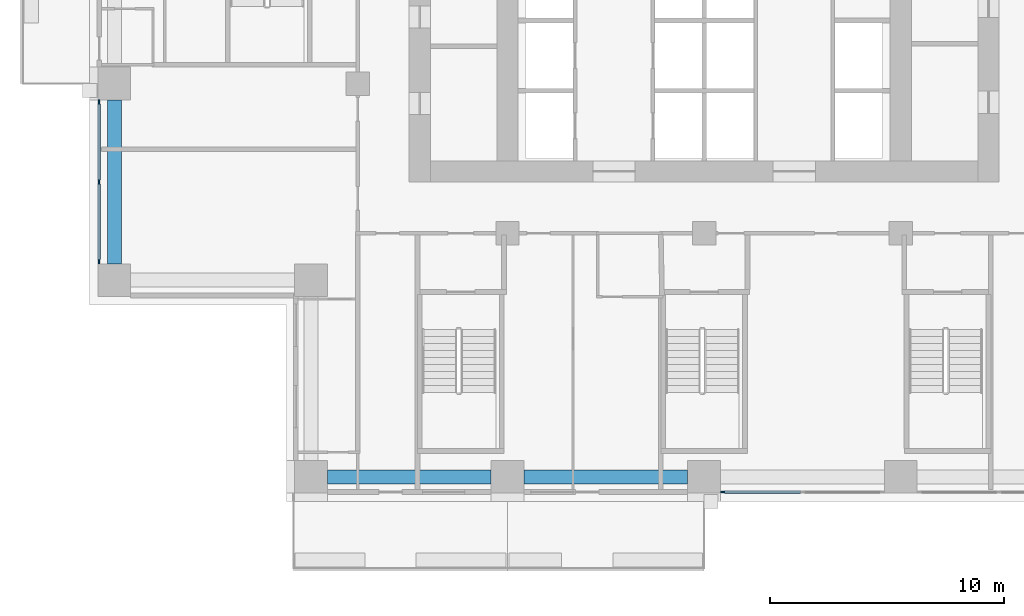
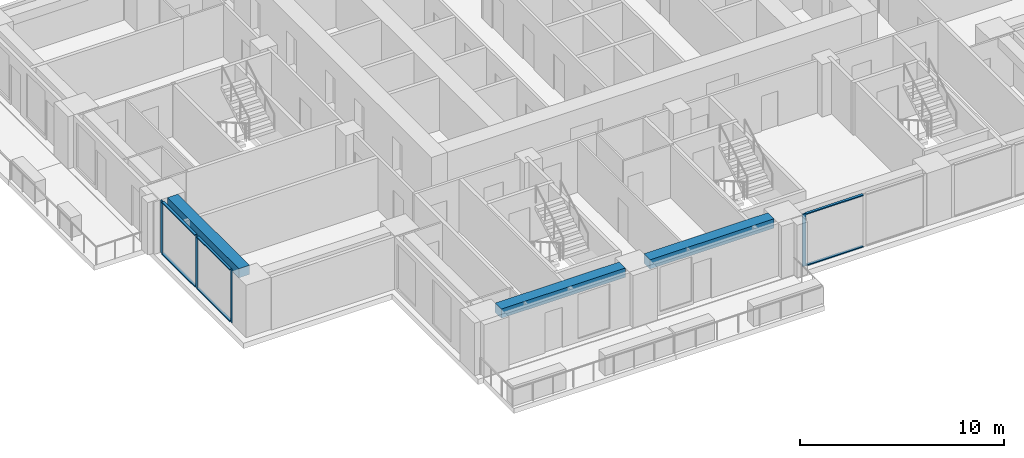
# One storey, part 2 of 17: 10 members, 3 beams, 2 elements without a shape of their own.
"""IFC4 building model written with IfcOpenShell, lengths in metres."""

from ifc_helpers import new_model, si_unit, direction, frame, origin, origin_2d, place, context, subcontext, project, spatial, rectangle, extrude, material, material_profile, profile_set, type_object, element, aggregate, save


model = new_model("IFC4")

# Units and contexts
model_context = context("Model", 3, precision=1e-05, world=origin(), true_north=direction((0.0, 1.0)))
body_context = subcontext(model_context, "Body", "Model", "MODEL_VIEW")
ifc_project = project(units=[si_unit("LENGTHUNIT", "METRE"), si_unit("AREAUNIT", "SQUARE_METRE"), si_unit("VOLUMEUNIT", "CUBIC_METRE"), si_unit("PLANEANGLEUNIT", "RADIAN"), si_unit("MASSUNIT", "GRAM", prefix="KILO")], contexts=[model_context])

# Site, building, storey
site_placement = place(None, origin())
site = spatial("IfcSite", under=ifc_project, at=site_placement, CompositionType="ELEMENT")
building_placement = place(site_placement, origin())
building = spatial("IfcBuilding", under=site, at=building_placement, Name="Vermilion Ogive Tower", CompositionType="ELEMENT")
storey_placement = place(building_placement, frame((0.0, 0.0, 58.64990234375)))
storey = spatial("IfcBuildingStorey", under=building, at=storey_placement, Name="L13", CompositionType="ELEMENT", Elevation=58.64990234375)

# Curtain wall, member
ifc_material_1 = material(Name="Low-iron laminated glazing in aluminium frame", Category="aluminium")
curtain_wall_type = type_object("IfcCurtainWallType", Name="Curtain wall CW7", PredefinedType="NOTDEFINED", material=ifc_material_1)
curtain_wall_1_placement = place(storey_placement, origin())
curtain_wall_1 = element("IfcCurtainWall", 1, at=curtain_wall_1_placement, inside=storey, type_object=curtain_wall_type, Name="Glazed skin S3", PredefinedType="NOTDEFINED")
ifc_material_2 = material(Name="Aluminium mullion", Category="aluminium")
ifc_material_profile_1 = material_profile(ifc_material_2, rectangle(XDim=0.06005859375, YDim=0.179931640625, at=origin_2d()), Name="AL 60x180")
ifc_profile_set_1 = profile_set([ifc_material_profile_1], Name="Aluminium mullion")
member_type_1 = type_object("IfcMemberType", Name="CW7 mullion 60x180", PredefinedType="MULLION", material=ifc_profile_set_1)
member_1_placement = place(storey_placement, frame((0.7900390625, -21.64990234375, 0.0), z_axis=(0.0, 0.0, 1.0), x_axis=(0.0, 1.0, 0.0)))
member_1 = element("IfcMember", 2, at=member_1_placement, type_object=member_type_1, Name="CW7-S3 mullion 1", PredefinedType="MULLION", context=body_context, shape_type="SweptSolid", body=[
    extrude(rectangle(XDim=0.06005859375, YDim=0.179931640625, at=origin_2d()), origin(), (0.0, 0.0, 1.0), 3.130126953125),
])

# Curtain wall, members
curtain_wall_2_placement = place(storey_placement, origin())
curtain_wall_2 = element("IfcCurtainWall", 3, at=curtain_wall_2_placement, inside=storey, type_object=curtain_wall_type, Name="Glazed skin W3", PredefinedType="NOTDEFINED")
member_2_placement = place(storey_placement, frame((-25.85009765625, -4.989990234375, 0.0), z_axis=(0.0, 0.0, 1.0), x_axis=(1.0, 0.0, 0.0)))
member_2 = element("IfcMember", 4, at=member_2_placement, type_object=member_type_1, Name="CW7-W3 mullion 1", PredefinedType="MULLION", context=body_context, shape_type="SweptSolid", body=[
    extrude(rectangle(XDim=0.06005859375, YDim=0.179931640625, at=origin_2d()), origin(), (0.0, 0.0, 1.0), 3.130126953125),
])
member_3_placement = place(storey_placement, frame((-25.85009765625, -8.39990234375, 0.0), z_axis=(0.0, 0.0, 1.0), x_axis=(1.0, 0.0, 0.0)))
member_3 = element("IfcMember", 5, at=member_3_placement, type_object=member_type_1, Name="CW7-W3 mullion 2", PredefinedType="MULLION", context=body_context, shape_type="SweptSolid", body=[
    extrude(rectangle(XDim=0.06005859375, YDim=0.179931640625, at=origin_2d()), origin(), (0.0, 0.0, 1.0), 3.130126953125),
])
member_4_placement = place(storey_placement, frame((-25.85009765625, -11.81005859375, 0.0), z_axis=(0.0, 0.0, 1.0), x_axis=(1.0, 0.0, 0.0)))
member_4 = element("IfcMember", 6, at=member_4_placement, type_object=member_type_1, Name="CW7-W3 mullion 3", PredefinedType="MULLION", context=body_context, shape_type="SweptSolid", body=[
    extrude(rectangle(XDim=0.06005859375, YDim=0.179931640625, at=origin_2d()), origin(), (0.0, 0.0, 1.0), 3.130126953125),
])

# Member
ifc_material_3 = material(Name="Aluminium transom", Category="aluminium")
ifc_material_profile_2 = material_profile(ifc_material_3, rectangle(XDim=0.139892578125, YDim=0.06005859375, at=origin_2d()), Name="AL 60x140")
ifc_profile_set_2 = profile_set([ifc_material_profile_2], Name="Aluminium transom")
member_type_2 = type_object("IfcMemberType", Name="CW7 transom 60x140", PredefinedType="USERDEFINED", material=ifc_profile_set_2)
member_5_placement = place(storey_placement, frame((0.8798828125, -21.64990234375, 0.030029296875), z_axis=(1.0, 0.0, 0.0), x_axis=(0.0, 1.0, 0.0)))
member_5 = element("IfcMember", 7, at=member_5_placement, type_object=member_type_2, Name="CW7-S3 transom 1.1", ObjectType="TRANSOM", PredefinedType="USERDEFINED", context=body_context, shape_type="SweptSolid", body=[
    extrude(rectangle(XDim=0.139892578125, YDim=0.06005859375, at=origin_2d()), origin(), (0.0, 0.0, 1.0), 3.230224609375),
])

member_6_placement = place(storey_placement, frame((0.8798828125, -21.64990234375, 3.10009765625), z_axis=(1.0, 0.0, 0.0), x_axis=(0.0, 1.0, 0.0)))
member_6 = element("IfcMember", 8, at=member_6_placement, type_object=member_type_2, Name="CW7-S3 transom 1.2", ObjectType="TRANSOM", PredefinedType="USERDEFINED", context=body_context, shape_type="SweptSolid", body=[
    extrude(rectangle(XDim=0.139892578125, YDim=0.06005859375, at=origin_2d()), origin(), (0.0, 0.0, 1.0), 3.230224609375),
])

aggregate(curtain_wall_1, [member_1, member_5, member_6])

member_7_placement = place(storey_placement, frame((-25.85009765625, -5.080078125, 0.030029296875), z_axis=(0.0, -1.0, 0.0), x_axis=(1.0, 0.0, 0.0)))
member_7 = element("IfcMember", 9, at=member_7_placement, type_object=member_type_2, Name="CW7-W3 transom 1.1", ObjectType="TRANSOM", PredefinedType="USERDEFINED", context=body_context, shape_type="SweptSolid", body=[
    extrude(rectangle(XDim=0.139892578125, YDim=0.06005859375, at=origin_2d()), origin(), (0.0, 0.0, 1.0), 3.22998046875),
])

member_8_placement = place(storey_placement, frame((-25.85009765625, -5.080078125, 3.10009765625), z_axis=(0.0, -1.0, 0.0), x_axis=(1.0, 0.0, 0.0)))
member_8 = element("IfcMember", 10, at=member_8_placement, type_object=member_type_2, Name="CW7-W3 transom 1.2", ObjectType="TRANSOM", PredefinedType="USERDEFINED", context=body_context, shape_type="SweptSolid", body=[
    extrude(rectangle(XDim=0.139892578125, YDim=0.06005859375, at=origin_2d()), origin(), (0.0, 0.0, 1.0), 3.22998046875),
])

member_9_placement = place(storey_placement, frame((-25.85009765625, -8.489990234375, 0.030029296875), z_axis=(0.0, -1.0, 0.0), x_axis=(1.0, 0.0, 0.0)))
member_9 = element("IfcMember", 11, at=member_9_placement, type_object=member_type_2, Name="CW7-W3 transom 2.1", ObjectType="TRANSOM", PredefinedType="USERDEFINED", context=body_context, shape_type="SweptSolid", body=[
    extrude(rectangle(XDim=0.139892578125, YDim=0.06005859375, at=origin_2d()), origin(), (0.0, 0.0, 1.0), 3.22998046875),
])

member_10_placement = place(storey_placement, frame((-25.85009765625, -8.489990234375, 3.10009765625), z_axis=(0.0, -1.0, 0.0), x_axis=(1.0, 0.0, 0.0)))
member_10 = element("IfcMember", 12, at=member_10_placement, type_object=member_type_2, Name="CW7-W3 transom 2.2", ObjectType="TRANSOM", PredefinedType="USERDEFINED", context=body_context, shape_type="SweptSolid", body=[
    extrude(rectangle(XDim=0.139892578125, YDim=0.06005859375, at=origin_2d()), origin(), (0.0, 0.0, 1.0), 3.22998046875),
])

aggregate(curtain_wall_2, [member_2, member_3, member_4, member_7, member_8, member_9, member_10])

# Beams
ifc_material_4 = material(Name="Concrete B45", Category="concrete")
ifc_material_profile_3 = material_profile(ifc_material_4, rectangle(XDim=0.60009765625, YDim=0.550048828125, at=origin_2d()), Name="600 x 550")
ifc_profile_set_3 = profile_set([ifc_material_profile_3], Name="Concrete B45")
beam_type = type_object("IfcBeamType", Name="Edge beam 600 x 550 B45", PredefinedType="BEAM", material=ifc_profile_set_3)
for number, where, z_axis, x_axis, name in (
    (13, (-16.10009765625, -21.0, 2.85498046875), (1.0, 0.0, 0.0), (0.0, 1.0, 0.0), "L13-EB-1"),
    (14, (-7.699951171875, -21.0, 2.85498046875), (1.0, 0.0, 0.0), (0.0, 1.0, 0.0), "L13-EB-2"),
    (15, (-25.199951171875, -4.89990234375, 2.85498046875), (0.0, -1.0, 0.0), (1.0, 0.0, 0.0), "L13-EB-16"),
):
    element("IfcBeam", number, at=place(storey_placement, frame(where, z_axis=z_axis, x_axis=x_axis)), inside=storey, type_object=beam_type, Name=name, PredefinedType="BEAM", context=body_context, shape_type="SweptSolid", body=[
        extrude(rectangle(XDim=0.60009765625, YDim=0.550048828125, at=origin_2d()), origin(), (0.0, 0.0, 1.0), 7.0),
    ])

save(model, "model.ifc")
